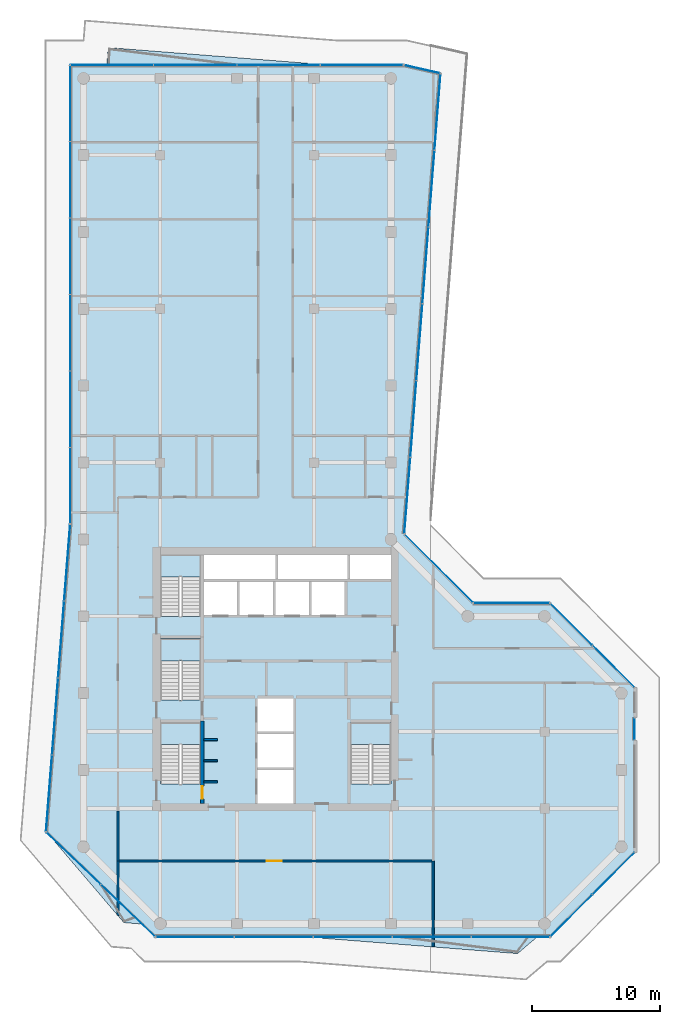
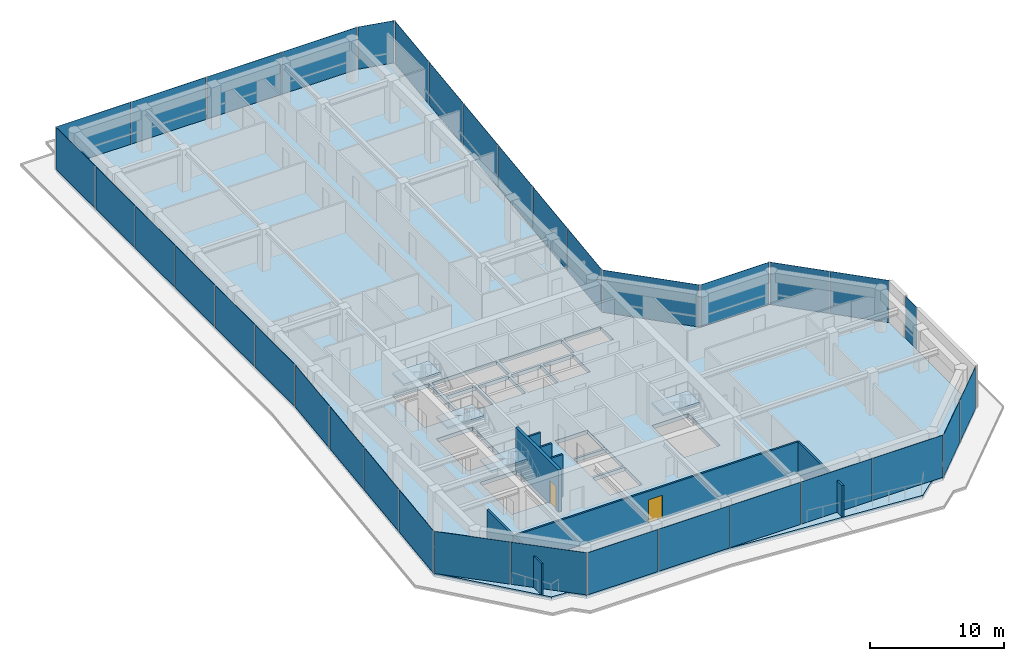
# One storey, part 17 of 22: 35 plates, 8 walls, 5 slabs, 2 doors, 2 openings, 16 elements without a shape of their own.
"""IFC4 building model written with IfcOpenShell, lengths in metres."""

from ifc_helpers import new_model, si_unit, direction, frame, frame_2d, origin, origin_2d, place, context, subcontext, project, spatial, polyline, rectangle, outline, extrude, material, layer, layer_set, type_object, element, fill, aggregate, save


model = new_model("IFC4")

# Units and contexts
model_context = context("Model", 3, precision=1e-05, world=origin(), true_north=direction((0.0, 1.0)))
body_context = subcontext(model_context, "Body", "Model", "MODEL_VIEW")
ifc_project = project(units=[si_unit("LENGTHUNIT", "METRE"), si_unit("AREAUNIT", "SQUARE_METRE"), si_unit("VOLUMEUNIT", "CUBIC_METRE"), si_unit("PLANEANGLEUNIT", "RADIAN"), si_unit("MASSUNIT", "GRAM", prefix="KILO")], contexts=[model_context])

# Site, building, storey
site_placement = place(None, origin())
site = spatial("IfcSite", under=ifc_project, at=site_placement, CompositionType="ELEMENT")
building_placement = place(site_placement, origin())
building = spatial("IfcBuilding", under=site, at=building_placement, Name="Welwitschia Terrace Campus", CompositionType="ELEMENT")
storey_placement = place(building_placement, frame((0.0, 0.0, 150.800048828125)))
storey = spatial("IfcBuildingStorey", under=building, at=storey_placement, Name="L33", CompositionType="ELEMENT", Elevation=150.800048828125)

# Curtain wall, plates
ifc_material_1 = material(Name="Bronze anodised aluminium", Category="aluminium")
ifc_layer_1 = layer(ifc_material_1, 0.1201171875)
ifc_layer_set_1 = layer_set([ifc_layer_1], Name="Bronze anodised aluminium")
curtain_wall_type = type_object("IfcCurtainWallType", Name="Curtain wall CW2 tower 6000", PredefinedType="NOTDEFINED", material=ifc_layer_set_1)
curtain_wall_1_placement = place(storey_placement, origin())
curtain_wall_1 = element("IfcCurtainWall", 1, at=curtain_wall_1_placement, inside=storey, type_object=curtain_wall_type, Name="CW L33.0.0", PredefinedType="NOTDEFINED")
ifc_material_2 = material(Name="Tinted bronze-grey glass", Category="glass")
ifc_layer_2 = layer(ifc_material_2, 0.028076171875)
ifc_layer_set_2 = layer_set([ifc_layer_2], Name="Tinted bronze-grey glass")
plate_type = type_object("IfcPlateType", Name="Glass panel 28 tinted", PredefinedType="CURTAIN_PANEL", material=ifc_layer_set_2)
plate_1_placement = place(storey_placement, frame((-1.030029296875, 60.029541015625, 0.0), z_axis=(0.0, 0.0, 1.0), x_axis=(0.0, -1.0, 0.0)))
plate_1 = element("IfcPlate", 2, at=plate_1_placement, type_object=plate_type, Name="Panel L33.0.0.0", PredefinedType="CURTAIN_PANEL", context=body_context, shape_type="SweptSolid", body=[
    extrude(rectangle(XDim=5.880859375, YDim=0.028076171875, at=origin_2d()), origin(), (0.0, 0.0, 1.0), 3.85009765625),
])
plate_2_placement = place(storey_placement, frame((-1.030029296875, 54.07373046875, 0.0), z_axis=(0.0, 0.0, 1.0), x_axis=(0.0, -1.0, 0.0)))
plate_2 = element("IfcPlate", 3, at=plate_2_placement, type_object=plate_type, Name="Panel L33.0.0.1", PredefinedType="CURTAIN_PANEL", context=body_context, shape_type="SweptSolid", body=[
    extrude(rectangle(XDim=5.910888671875, YDim=0.028076171875, at=origin_2d()), origin(), (0.0, 0.0, 1.0), 3.85009765625),
])
plate_3_placement = place(storey_placement, frame((-1.030029296875, 48.10302734375, 0.0), z_axis=(0.0, 0.0, 1.0), x_axis=(0.0, -1.0, 0.0)))
plate_3 = element("IfcPlate", 4, at=plate_3_placement, type_object=plate_type, Name="Panel L33.0.0.2", PredefinedType="CURTAIN_PANEL", context=body_context, shape_type="SweptSolid", body=[
    extrude(rectangle(XDim=5.910888671875, YDim=0.028076171875, at=origin_2d()), origin(), (0.0, 0.0, 1.0), 3.85009765625),
])
plate_4_placement = place(storey_placement, frame((-1.030029296875, 42.13232421875, 0.0), z_axis=(0.0, 0.0, 1.0), x_axis=(0.0, -1.0, 0.0)))
plate_4 = element("IfcPlate", 5, at=plate_4_placement, type_object=plate_type, Name="Panel L33.0.0.3", PredefinedType="CURTAIN_PANEL", context=body_context, shape_type="SweptSolid", body=[
    extrude(rectangle(XDim=5.910888671875, YDim=0.028076171875, at=origin_2d()), origin(), (0.0, 0.0, 1.0), 3.85009765625),
])
plate_5_placement = place(storey_placement, frame((-1.030029296875, 36.161376953125, 0.0), z_axis=(0.0, 0.0, 1.0), x_axis=(0.0, -1.0, 0.0)))
plate_5 = element("IfcPlate", 6, at=plate_5_placement, type_object=plate_type, Name="Panel L33.0.0.4", PredefinedType="CURTAIN_PANEL", context=body_context, shape_type="SweptSolid", body=[
    extrude(rectangle(XDim=5.910888671875, YDim=0.028076171875, at=origin_2d()), origin(), (0.0, 0.0, 1.0), 3.85009765625),
])
plate_6_placement = place(storey_placement, frame((-1.030029296875, 30.205810546875, 0.0), z_axis=(0.0, 0.0, 1.0), x_axis=(0.0, -1.0, 0.0)))
plate_6 = element("IfcPlate", 7, at=plate_6_placement, type_object=plate_type, Name="Panel L33.0.0.5", PredefinedType="CURTAIN_PANEL", context=body_context, shape_type="SweptSolid", body=[
    extrude(rectangle(XDim=5.880859375, YDim=0.028076171875, at=origin_2d()), origin(), (0.0, 0.0, 1.0), 3.85009765625),
])
aggregate(curtain_wall_1, [plate_1, plate_2, plate_3, plate_4, plate_5, plate_6])

curtain_wall_2_placement = place(storey_placement, origin())
curtain_wall_2 = element("IfcCurtainWall", 8, at=curtain_wall_2_placement, inside=storey, type_object=curtain_wall_type, Name="CW L33.1.0", PredefinedType="NOTDEFINED")
plate_7_placement = place(storey_placement, frame((-1.267822265625, 24.1845703125, 0.0), z_axis=(0.0, 0.0, 1.0), x_axis=(-0.078459095728, -0.996917333733, 0.0)))
plate_7 = element("IfcPlate", 9, at=plate_7_placement, type_object=plate_type, Name="Panel L33.1.0.0", PredefinedType="CURTAIN_PANEL", context=body_context, shape_type="SweptSolid", body=[
    extrude(rectangle(XDim=5.93994140625, YDim=0.028076171875, at=origin_2d()), origin(), (0.0, 0.0, 1.0), 3.85009765625),
])
plate_8_placement = place(storey_placement, frame((-1.73974609375, 18.188232421875, 0.0), z_axis=(0.0, 0.0, 1.0), x_axis=(-0.078459095728, -0.996917333733, 0.0)))
plate_8 = element("IfcPlate", 10, at=plate_8_placement, type_object=plate_type, Name="Panel L33.1.0.1", PredefinedType="CURTAIN_PANEL", context=body_context, shape_type="SweptSolid", body=[
    extrude(rectangle(XDim=5.969970703125, YDim=0.028076171875, at=origin_2d()), origin(), (0.0, 0.0, 1.0), 3.85009765625),
])
plate_9_placement = place(storey_placement, frame((-2.212646484375, 12.177001953125, 0.0), z_axis=(0.0, 0.0, 1.0), x_axis=(-0.078459095728, -0.996917333733, 0.0)))
plate_9 = element("IfcPlate", 11, at=plate_9_placement, type_object=plate_type, Name="Panel L33.1.0.2", PredefinedType="CURTAIN_PANEL", context=body_context, shape_type="SweptSolid", body=[
    extrude(rectangle(XDim=5.969970703125, YDim=0.028076171875, at=origin_2d()), origin(), (0.0, 0.0, 1.0), 3.85009765625),
])
plate_10_placement = place(storey_placement, frame((-2.6845703125, 6.1806640625, 0.0), z_axis=(0.0, 0.0, 1.0), x_axis=(-0.078459095728, -0.996917333733, 0.0)))
plate_10 = element("IfcPlate", 12, at=plate_10_placement, type_object=plate_type, Name="Panel L33.1.0.3", PredefinedType="CURTAIN_PANEL", context=body_context, shape_type="SweptSolid", body=[
    extrude(rectangle(XDim=5.93994140625, YDim=0.028076171875, at=origin_2d()), origin(), (0.0, 0.0, 1.0), 3.85009765625),
])
aggregate(curtain_wall_2, [plate_7, plate_8, plate_9, plate_10])

curtain_wall_3_placement = place(storey_placement, origin())
curtain_wall_3 = element("IfcCurtainWall", 13, at=curtain_wall_3_placement, inside=storey, type_object=curtain_wall_type, Name="CW L33.2.0", PredefinedType="NOTDEFINED")
plate_11_placement = place(storey_placement, frame((-0.77734375, 1.10205078125, 0.0), z_axis=(0.0, 0.0, 1.0), x_axis=(0.721626467504, -0.692282631155, 0.0)))
plate_11 = element("IfcPlate", 14, at=plate_11_placement, type_object=plate_type, Name="Panel L33.2.0.0", PredefinedType="CURTAIN_PANEL", context=body_context, shape_type="SweptSolid", body=[
    extrude(rectangle(XDim=5.8251953125, YDim=0.028076171875, at=origin_2d()), origin(), (0.0, 0.0, 1.0), 3.85009765625),
])
plate_12_placement = place(storey_placement, frame((3.469482421875, -2.97216796875, 0.0), z_axis=(0.0, 0.0, 1.0), x_axis=(0.721626467504, -0.692282631155, 0.0)))
plate_12 = element("IfcPlate", 15, at=plate_12_placement, type_object=plate_type, Name="Panel L33.2.0.1", PredefinedType="CURTAIN_PANEL", context=body_context, shape_type="SweptSolid", body=[
    extrude(rectangle(XDim=5.8251953125, YDim=0.028076171875, at=origin_2d()), origin(), (0.0, 0.0, 1.0), 3.85009765625),
])
aggregate(curtain_wall_3, [plate_11, plate_12])

curtain_wall_4_placement = place(storey_placement, origin())
curtain_wall_4 = element("IfcCurtainWall", 16, at=curtain_wall_4_placement, inside=storey, type_object=curtain_wall_type, Name="CW L33.3.0", PredefinedType="NOTDEFINED")
plate_13_placement = place(storey_placement, frame((8.7109375, -5.030029296875, 0.0), z_axis=(0.0, 0.0, 1.0), x_axis=(1.0, 0.0, 0.0)))
plate_13 = element("IfcPlate", 17, at=plate_13_placement, type_object=plate_type, Name="Panel L33.3.0.0", PredefinedType="CURTAIN_PANEL", context=body_context, shape_type="SweptSolid", body=[
    extrude(rectangle(XDim=6.072509765625, YDim=0.028076171875, at=origin_2d()), origin(), (0.0, 0.0, 1.0), 3.85009765625),
])
plate_14_placement = place(storey_placement, frame((14.858154296875, -5.030029296875, 0.0), z_axis=(0.0, 0.0, 1.0), x_axis=(1.0, 0.0, 0.0)))
plate_14 = element("IfcPlate", 18, at=plate_14_placement, type_object=plate_type, Name="Panel L33.3.0.1", PredefinedType="CURTAIN_PANEL", context=body_context, shape_type="SweptSolid", body=[
    extrude(rectangle(XDim=6.102294921875, YDim=0.028076171875, at=origin_2d()), origin(), (0.0, 0.0, 1.0), 3.85009765625),
])
plate_15_placement = place(storey_placement, frame((21.020751953125, -5.030029296875, 0.0), z_axis=(0.0, 0.0, 1.0), x_axis=(1.0, 0.0, 0.0)))
plate_15 = element("IfcPlate", 19, at=plate_15_placement, type_object=plate_type, Name="Panel L33.3.0.2", PredefinedType="CURTAIN_PANEL", context=body_context, shape_type="SweptSolid", body=[
    extrude(rectangle(XDim=6.102294921875, YDim=0.028076171875, at=origin_2d()), origin(), (0.0, 0.0, 1.0), 3.85009765625),
])
plate_16_placement = place(storey_placement, frame((27.18310546875, -5.030029296875, 0.0), z_axis=(0.0, 0.0, 1.0), x_axis=(1.0, 0.0, 0.0)))
plate_16 = element("IfcPlate", 20, at=plate_16_placement, type_object=plate_type, Name="Panel L33.3.0.3", PredefinedType="CURTAIN_PANEL", context=body_context, shape_type="SweptSolid", body=[
    extrude(rectangle(XDim=6.102294921875, YDim=0.028076171875, at=origin_2d()), origin(), (0.0, 0.0, 1.0), 3.85009765625),
])
plate_17_placement = place(storey_placement, frame((33.330322265625, -5.030029296875, 0.0), z_axis=(0.0, 0.0, 1.0), x_axis=(1.0, 0.0, 0.0)))
plate_17 = element("IfcPlate", 21, at=plate_17_placement, type_object=plate_type, Name="Panel L33.3.0.4", PredefinedType="CURTAIN_PANEL", context=body_context, shape_type="SweptSolid", body=[
    extrude(rectangle(XDim=6.072509765625, YDim=0.028076171875, at=origin_2d()), origin(), (0.0, 0.0, 1.0), 3.85009765625),
])
aggregate(curtain_wall_4, [plate_13, plate_14, plate_15, plate_16, plate_17])

curtain_wall_5_placement = place(storey_placement, origin())
curtain_wall_5 = element("IfcCurtainWall", 22, at=curtain_wall_5_placement, inside=storey, type_object=curtain_wall_type, Name="CW L33.4.0", PredefinedType="NOTDEFINED")
plate_18_placement = place(storey_placement, frame((38.088134765625, -3.36865234375, 0.0), z_axis=(0.0, 0.0, 1.0), x_axis=(0.707106781187, 0.707106781187, 0.0)))
plate_18 = element("IfcPlate", 23, at=plate_18_placement, type_object=plate_type, Name="Panel L33.4.0.0", PredefinedType="CURTAIN_PANEL", context=body_context, shape_type="SweptSolid", body=[
    extrude(rectangle(XDim=4.579345703125, YDim=0.028076171875, at=origin_2d()), origin(), (0.0, 0.0, 1.0), 3.85009765625),
])
plate_19_placement = place(storey_placement, frame((41.36865234375, -0.088134765625, 0.0), z_axis=(0.0, 0.0, 1.0), x_axis=(0.707106781187, 0.707106781187, 0.0)))
plate_19 = element("IfcPlate", 24, at=plate_19_placement, type_object=plate_type, Name="Panel L33.4.0.1", PredefinedType="CURTAIN_PANEL", context=body_context, shape_type="SweptSolid", body=[
    extrude(rectangle(XDim=4.579345703125, YDim=0.028076171875, at=origin_2d()), origin(), (0.0, 0.0, 1.0), 3.85009765625),
])
aggregate(curtain_wall_5, [plate_18, plate_19])

# Curtain wall, plate
curtain_wall_6_placement = place(storey_placement, origin())
curtain_wall_6 = element("IfcCurtainWall", 25, at=curtain_wall_6_placement, inside=storey, type_object=curtain_wall_type, Name="CW L33.5.S0", PredefinedType="NOTDEFINED")
plate_20_placement = place(storey_placement, frame((43.030029296875, 11.21337890625, 0.0), z_axis=(0.0, 0.0, 1.0), x_axis=(0.0, 1.0, 0.0)))
plate_20 = element("IfcPlate", 26, at=plate_20_placement, type_object=plate_type, Name="Panel L33.5.S0.0", PredefinedType="CURTAIN_PANEL", context=body_context, shape_type="SweptSolid", body=[
    extrude(rectangle(XDim=1.679931640625, YDim=0.028076171875, at=origin_2d()), origin(), (0.0, 0.0, 1.0), 3.85009765625),
])
aggregate(curtain_wall_6, [plate_20])

# Curtain wall, plates
curtain_wall_7_placement = place(storey_placement, origin())
curtain_wall_7 = element("IfcCurtainWall", 27, at=curtain_wall_7_placement, inside=storey, type_object=curtain_wall_type, Name="CW L33.6.0", PredefinedType="NOTDEFINED")
plate_21_placement = place(storey_placement, frame((41.36865234375, 16.088134765625, 0.0), z_axis=(0.0, 0.0, 1.0), x_axis=(-0.707106781187, 0.707106781187, 0.0)))
plate_21 = element("IfcPlate", 28, at=plate_21_placement, type_object=plate_type, Name="Panel L33.6.0.0", PredefinedType="CURTAIN_PANEL", context=body_context, shape_type="SweptSolid", body=[
    extrude(rectangle(XDim=4.579345703125, YDim=0.028076171875, at=origin_2d()), origin(), (0.0, 0.0, 1.0), 3.85009765625),
])
plate_22_placement = place(storey_placement, frame((38.088134765625, 19.36865234375, 0.0), z_axis=(0.0, 0.0, 1.0), x_axis=(-0.707106781187, 0.707106781187, 0.0)))
plate_22 = element("IfcPlate", 29, at=plate_22_placement, type_object=plate_type, Name="Panel L33.6.0.1", PredefinedType="CURTAIN_PANEL", context=body_context, shape_type="SweptSolid", body=[
    extrude(rectangle(XDim=4.579345703125, YDim=0.028076171875, at=origin_2d()), origin(), (0.0, 0.0, 1.0), 3.85009765625),
])
aggregate(curtain_wall_7, [plate_21, plate_22])

# Curtain wall, plate
curtain_wall_8_placement = place(storey_placement, origin())
curtain_wall_8 = element("IfcCurtainWall", 30, at=curtain_wall_8_placement, inside=storey, type_object=curtain_wall_type, Name="CW L33.7.0", PredefinedType="NOTDEFINED")
plate_23_placement = place(storey_placement, frame((33.4267578125, 21.030029296875, 0.0), z_axis=(0.0, 0.0, 1.0), x_axis=(-1.0, 0.0, 0.0)))
plate_23 = element("IfcPlate", 31, at=plate_23_placement, type_object=plate_type, Name="Panel L33.7.0.0", PredefinedType="CURTAIN_PANEL", context=body_context, shape_type="SweptSolid", body=[
    extrude(rectangle(XDim=5.8798828125, YDim=0.028076171875, at=origin_2d()), origin(), (0.0, 0.0, 1.0), 3.85009765625),
])
aggregate(curtain_wall_8, [plate_23])

curtain_wall_9_placement = place(storey_placement, origin())
curtain_wall_9 = element("IfcCurtainWall", 32, at=curtain_wall_9_placement, inside=storey, type_object=curtain_wall_type, Name="CW L33.8.0", PredefinedType="NOTDEFINED")
plate_24_placement = place(storey_placement, frame((27.7373046875, 23.719482421875, 0.0), z_axis=(0.0, 0.0, 1.0), x_axis=(-0.707106781187, 0.707106781187, 0.0)))
plate_24 = element("IfcPlate", 33, at=plate_24_placement, type_object=plate_type, Name="Panel L33.8.0.0", PredefinedType="CURTAIN_PANEL", context=body_context, shape_type="SweptSolid", body=[
    extrude(rectangle(XDim=7.48681640625, YDim=0.028076171875, at=origin_2d()), origin(), (0.0, 0.0, 1.0), 3.85009765625),
])
aggregate(curtain_wall_9, [plate_24])

# Curtain wall, plates
curtain_wall_10_placement = place(storey_placement, origin())
curtain_wall_10 = element("IfcCurtainWall", 34, at=curtain_wall_10_placement, inside=storey, type_object=curtain_wall_type, Name="CW L33.9.0", PredefinedType="NOTDEFINED")
plate_25_placement = place(storey_placement, frame((25.284912109375, 29.421142578125, 0.0), z_axis=(0.0, 0.0, 1.0), x_axis=(0.078459095728, 0.996917333733, 0.0)))
plate_25 = element("IfcPlate", 35, at=plate_25_placement, type_object=plate_type, Name="Panel L33.9.0.0", PredefinedType="CURTAIN_PANEL", context=body_context, shape_type="SweptSolid", body=[
    extrude(rectangle(XDim=5.923583984375, YDim=0.028076171875, at=origin_2d()), origin(), (0.0, 0.0, 1.0), 3.85009765625),
])
plate_26_placement = place(storey_placement, frame((25.755615234375, 35.401123046875, 0.0), z_axis=(0.0, 0.0, 1.0), x_axis=(0.078459095728, 0.996917333733, 0.0)))
plate_26 = element("IfcPlate", 36, at=plate_26_placement, type_object=plate_type, Name="Panel L33.9.0.1", PredefinedType="CURTAIN_PANEL", context=body_context, shape_type="SweptSolid", body=[
    extrude(rectangle(XDim=5.953369140625, YDim=0.028076171875, at=origin_2d()), origin(), (0.0, 0.0, 1.0), 3.85009765625),
])
plate_27_placement = place(storey_placement, frame((26.2275390625, 41.39599609375, 0.0), z_axis=(0.0, 0.0, 1.0), x_axis=(0.078459095728, 0.996917333733, 0.0)))
plate_27 = element("IfcPlate", 37, at=plate_27_placement, type_object=plate_type, Name="Panel L33.9.0.2", PredefinedType="CURTAIN_PANEL", context=body_context, shape_type="SweptSolid", body=[
    extrude(rectangle(XDim=5.953369140625, YDim=0.028076171875, at=origin_2d()), origin(), (0.0, 0.0, 1.0), 3.85009765625),
])
plate_28_placement = place(storey_placement, frame((26.69921875, 47.39111328125, 0.0), z_axis=(0.0, 0.0, 1.0), x_axis=(0.078459095728, 0.996917333733, 0.0)))
plate_28 = element("IfcPlate", 38, at=plate_28_placement, type_object=plate_type, Name="Panel L33.9.0.3", PredefinedType="CURTAIN_PANEL", context=body_context, shape_type="SweptSolid", body=[
    extrude(rectangle(XDim=5.953369140625, YDim=0.028076171875, at=origin_2d()), origin(), (0.0, 0.0, 1.0), 3.85009765625),
])
plate_29_placement = place(storey_placement, frame((27.171142578125, 53.385986328125, 0.0), z_axis=(0.0, 0.0, 1.0), x_axis=(0.078459095728, 0.996917333733, 0.0)))
plate_29 = element("IfcPlate", 39, at=plate_29_placement, type_object=plate_type, Name="Panel L33.9.0.4", PredefinedType="CURTAIN_PANEL", context=body_context, shape_type="SweptSolid", body=[
    extrude(rectangle(XDim=5.953369140625, YDim=0.028076171875, at=origin_2d()), origin(), (0.0, 0.0, 1.0), 3.85009765625),
])
plate_30_placement = place(storey_placement, frame((27.6416015625, 59.365966796875, 0.0), z_axis=(0.0, 0.0, 1.0), x_axis=(0.078459095728, 0.996917333733, 0.0)))
plate_30 = element("IfcPlate", 40, at=plate_30_placement, type_object=plate_type, Name="Panel L33.9.0.5", PredefinedType="CURTAIN_PANEL", context=body_context, shape_type="SweptSolid", body=[
    extrude(rectangle(XDim=5.923583984375, YDim=0.028076171875, at=origin_2d()), origin(), (0.0, 0.0, 1.0), 3.85009765625),
])
aggregate(curtain_wall_10, [plate_25, plate_26, plate_27, plate_28, plate_29, plate_30])

# Curtain wall, plate
curtain_wall_11_placement = place(storey_placement, origin())
curtain_wall_11 = element("IfcCurtainWall", 41, at=curtain_wall_11_placement, inside=storey, type_object=curtain_wall_type, Name="CW L33.10.0", PredefinedType="NOTDEFINED")
plate_31_placement = place(storey_placement, frame((26.441162109375, 62.7041015625, 0.0), z_axis=(0.0, 0.0, 1.0), x_axis=(-0.975274506238, 0.220996917361, 0.0)))
plate_31 = element("IfcPlate", 42, at=plate_31_placement, type_object=plate_type, Name="Panel L33.10.0.0", PredefinedType="CURTAIN_PANEL", context=body_context, shape_type="SweptSolid", body=[
    extrude(rectangle(XDim=2.828369140625, YDim=0.028076171875, at=origin_2d()), origin(), (0.0, 0.0, 1.0), 3.85009765625),
])
aggregate(curtain_wall_11, [plate_31])

# Curtain wall, plates
curtain_wall_12_placement = place(storey_placement, origin())
curtain_wall_12 = element("IfcCurtainWall", 43, at=curtain_wall_12_placement, inside=storey, type_object=curtain_wall_type, Name="CW L33.11.0", PredefinedType="NOTDEFINED")
plate_32_placement = place(storey_placement, frame((21.734130859375, 63.030029296875, 0.0), z_axis=(0.0, 0.0, 1.0), x_axis=(-1.0, 0.0, 0.0)))
plate_32 = element("IfcPlate", 44, at=plate_32_placement, type_object=plate_type, Name="Panel L33.11.0.0", PredefinedType="CURTAIN_PANEL", context=body_context, shape_type="SweptSolid", body=[
    extrude(rectangle(XDim=6.41845703125, YDim=0.028076171875, at=origin_2d()), origin(), (0.0, 0.0, 1.0), 3.85009765625),
])
plate_33_placement = place(storey_placement, frame((15.240966796875, 63.030029296875, 0.0), z_axis=(0.0, 0.0, 1.0), x_axis=(-1.0, 0.0, 0.0)))
plate_33 = element("IfcPlate", 45, at=plate_33_placement, type_object=plate_type, Name="Panel L33.11.0.1", PredefinedType="CURTAIN_PANEL", context=body_context, shape_type="SweptSolid", body=[
    extrude(rectangle(XDim=6.4482421875, YDim=0.028076171875, at=origin_2d()), origin(), (0.0, 0.0, 1.0), 3.85009765625),
])
plate_34_placement = place(storey_placement, frame((8.732421875, 63.030029296875, 0.0), z_axis=(0.0, 0.0, 1.0), x_axis=(-1.0, 0.0, 0.0)))
plate_34 = element("IfcPlate", 46, at=plate_34_placement, type_object=plate_type, Name="Panel L33.11.0.2", PredefinedType="CURTAIN_PANEL", context=body_context, shape_type="SweptSolid", body=[
    extrude(rectangle(XDim=6.4482421875, YDim=0.028076171875, at=origin_2d()), origin(), (0.0, 0.0, 1.0), 3.85009765625),
])
plate_35_placement = place(storey_placement, frame((2.2392578125, 63.030029296875, 0.0), z_axis=(0.0, 0.0, 1.0), x_axis=(-1.0, 0.0, 0.0)))
plate_35 = element("IfcPlate", 47, at=plate_35_placement, type_object=plate_type, Name="Panel L33.11.0.3", PredefinedType="CURTAIN_PANEL", context=body_context, shape_type="SweptSolid", body=[
    extrude(rectangle(XDim=6.41845703125, YDim=0.028076171875, at=origin_2d()), origin(), (0.0, 0.0, 1.0), 3.85009765625),
])
aggregate(curtain_wall_12, [plate_32, plate_33, plate_34, plate_35])

# Stair, slab
ifc_material_3 = material(Name="Concrete C40/50", Category="concrete")
stair_type = type_object("IfcStairType", Name="Stair 24R 175 W1500", PredefinedType="HALF_TURN_STAIR", material=ifc_material_3)
stair_1_placement = place(storey_placement, origin())
stair_1 = element("IfcStair", 48, at=stair_1_placement, inside=storey, type_object=stair_type, Name="L33 Exit stair S1", PredefinedType="HALF_TURN_STAIR")
ifc_material_4 = material(Name="Concrete C40/50", Category="concrete")
ifc_layer_3 = layer(ifc_material_4, 0.199951171875)
ifc_layer_set_3 = layer_set([ifc_layer_3], Name="Concrete C40/50")
slab_type_1 = type_object("IfcSlabType", Name="Stair landing RC", PredefinedType="LANDING", material=ifc_layer_set_3)
slab_1_placement = place(storey_placement, frame((0.0, 0.0, 1.89990234375)))
slab_1 = element("IfcSlab", 49, at=slab_1_placement, type_object=slab_type_1, Name="S1 landing 1", PredefinedType="LANDING", context=body_context, shape_type="SweptSolid", body=[
    extrude(outline(polyline([(9.14990234375, 9.97998046875), (9.14990234375, 11.699951171875), (6.0, 11.699951171875), (6.0, 9.97998046875), (9.14990234375, 9.97998046875)])), origin(), (0.0, 0.0, 1.0), 0.199951171875),
])
aggregate(stair_1, [slab_1])

stair_2_placement = place(storey_placement, origin())
stair_2 = element("IfcStair", 50, at=stair_2_placement, inside=storey, type_object=stair_type, Name="L33 Exit stair S3", PredefinedType="HALF_TURN_STAIR")
slab_2_placement = place(storey_placement, frame((0.0, 0.0, 1.89990234375)))
slab_2 = element("IfcSlab", 51, at=slab_2_placement, type_object=slab_type_1, Name="S3 landing 1", PredefinedType="LANDING", context=body_context, shape_type="SweptSolid", body=[
    extrude(outline(polyline([(9.14990234375, 16.530029296875), (9.14990234375, 18.25), (6.0, 18.25), (6.0, 16.530029296875), (9.14990234375, 16.530029296875)])), origin(), (0.0, 0.0, 1.0), 0.199951171875),
])
aggregate(stair_2, [slab_2])

stair_3_placement = place(storey_placement, origin())
stair_3 = element("IfcStair", 52, at=stair_3_placement, inside=storey, type_object=stair_type, Name="L33 Exit stair S4", PredefinedType="HALF_TURN_STAIR")
slab_3_placement = place(storey_placement, frame((0.0, 0.0, 1.89990234375)))
slab_3 = element("IfcSlab", 53, at=slab_3_placement, type_object=slab_type_1, Name="S4 landing 1", PredefinedType="LANDING", context=body_context, shape_type="SweptSolid", body=[
    extrude(outline(polyline([(9.14990234375, 23.080078125), (9.14990234375, 24.800048828125), (6.0, 24.800048828125), (6.0, 23.080078125), (9.14990234375, 23.080078125)])), origin(), (0.0, 0.0, 1.0), 0.199951171875),
])
aggregate(stair_3, [slab_3])

stair_4_placement = place(storey_placement, origin())
stair_4 = element("IfcStair", 54, at=stair_4_placement, inside=storey, type_object=stair_type, Name="L33 Exit stair S2", PredefinedType="HALF_TURN_STAIR")
slab_4_placement = place(storey_placement, frame((0.0, 0.0, 1.89990234375)))
slab_4 = element("IfcSlab", 55, at=slab_4_placement, type_object=slab_type_1, Name="S2 landing 1", PredefinedType="LANDING", context=body_context, shape_type="SweptSolid", body=[
    extrude(outline(polyline([(24.0, 9.97998046875), (24.0, 11.699951171875), (20.85009765625, 11.699951171875), (20.85009765625, 9.97998046875), (24.0, 9.97998046875)])), origin(), (0.0, 0.0, 1.0), 0.199951171875),
])
aggregate(stair_4, [slab_4])

# Slab
ifc_material_5 = material(Name="Concrete C40/50", Category="concrete")
ifc_layer_4 = layer(ifc_material_5, 0.35009765625)
ifc_layer_set_4 = layer_set([ifc_layer_4], Name="Concrete C40/50")
slab_type_2 = type_object("IfcSlabType", Name="Suspended floor slab 350", PredefinedType="FLOOR", material=ifc_layer_set_4)
slab_5_placement = place(storey_placement, frame((0.0, 0.0, -0.35009765625)))
element("IfcSlab", 56, at=slab_5_placement, inside=storey, type_object=slab_type_2, Name="Floor slab L33", PredefinedType="FLOOR", context=body_context, shape_type="SweptSolid", body=[
    extrude(outline(polyline([(1.817138671875, 63.0), (1.927001953125, 64.394775390625), (19.650146484375, 63.0), (25.0, 63.0), (27.846923828125, 62.35498046875), (25.016845703125, 26.397216796875), (30.414306640625, 21.0), (36.414306640625, 21.0), (43.0, 14.414306640625), (43.0, 1.585693359375), (36.414306640625, -5.0), (35.448974609375, -5.0), (33.890625, -6.3310546875), (16.978515625, -5.0), (5.585693359375, -5.0), (4.612548828125, -4.02685546875), (3.1572265625, -3.912353515625), (-2.8916015625, 3.169921875), (-1.0, 27.2041015625), (-1.0, 63.0), (1.817138671875, 63.0)]), holes=[polyline([(13.60009765625, 8.0), (13.60009765625, 5.39990234375), (16.39990234375, 5.39990234375), (16.39990234375, 8.0), (13.60009765625, 8.0)]), polyline([(9.14990234375, 11.699951171875), (6.0, 11.699951171875), (6.0, 6.902099609375), (9.14990234375, 6.902099609375), (9.14990234375, 11.699951171875)]), polyline([(9.14990234375, 18.25), (6.0, 18.25), (6.0, 13.451904296875), (9.14990234375, 13.451904296875), (9.14990234375, 18.25)]), polyline([(12.0, 22.699951171875), (9.39990234375, 22.699951171875), (9.39990234375, 20.10009765625), (12.0, 20.10009765625), (12.0, 22.699951171875)]), polyline([(14.800048828125, 22.699951171875), (12.199951171875, 22.699951171875), (12.199951171875, 20.10009765625), (14.800048828125, 20.10009765625), (14.800048828125, 22.699951171875)]), polyline([(9.14990234375, 24.800048828125), (6.0, 24.800048828125), (6.0, 20.001953125), (9.14990234375, 20.001953125), (9.14990234375, 24.800048828125)]), polyline([(15.0, 24.800048828125), (9.39990234375, 24.800048828125), (9.39990234375, 22.89990234375), (15.0, 22.89990234375), (15.0, 24.800048828125)]), polyline([(20.85009765625, 11.699951171875), (20.85009765625, 6.902099609375), (24.0, 6.902099609375), (24.0, 11.699951171875), (20.85009765625, 11.699951171875)]), polyline([(16.39990234375, 10.800048828125), (13.60009765625, 10.800048828125), (13.60009765625, 8.199951171875), (16.39990234375, 8.199951171875), (16.39990234375, 10.800048828125)]), polyline([(16.39990234375, 13.60009765625), (13.60009765625, 13.60009765625), (13.60009765625, 11.0), (16.39990234375, 11.0), (16.39990234375, 13.60009765625)]), polyline([(17.60009765625, 22.699951171875), (15.0, 22.699951171875), (15.0, 20.10009765625), (17.60009765625, 20.10009765625), (17.60009765625, 22.699951171875)]), polyline([(20.39990234375, 22.699951171875), (17.800048828125, 22.699951171875), (17.800048828125, 20.10009765625), (20.39990234375, 20.10009765625), (20.39990234375, 22.699951171875)]), polyline([(20.60009765625, 24.800048828125), (15.199951171875, 24.800048828125), (15.199951171875, 22.89990234375), (20.60009765625, 22.89990234375), (20.60009765625, 24.800048828125)]), polyline([(24.0, 24.800048828125), (20.800048828125, 24.800048828125), (20.800048828125, 22.89990234375), (24.0, 22.89990234375), (24.0, 24.800048828125)])]), origin(), (0.0, 0.0, 1.0), 0.35009765625),
])

# Walls
ifc_material_6 = material(Name="Concrete C50/60", Category="concrete")
ifc_layer_5 = layer(ifc_material_6, 0.14990234375)
ifc_layer_set_5 = layer_set([ifc_layer_5], Name="Concrete C50/60")
wall_type_1 = type_object("IfcWallType", Name="Core wall 150 Concrete C50/60", PredefinedType="SHEAR", material=ifc_layer_set_5)
for number, where, z_axis, x_axis, name in (
    (57, (9.39990234375, 7.074951171875, 0.0), (0.0, 0.0, 1.0), (1.0, 0.0, 0.0), "Core wall"),
    (58, (9.39990234375, 8.72509765625, 0.0), (0.0, 0.0, 1.0), (1.0, 0.0, 0.0), "Core wall"),
    (59, (9.39990234375, 10.375, 0.0), (0.0, 0.0, 1.0), (1.0, 0.0, 0.0), "Core wall"),
):
    element("IfcWall", number, at=place(storey_placement, frame(where, z_axis=z_axis, x_axis=x_axis)), inside=storey, type_object=wall_type_1, Name=name, PredefinedType="SHEAR", context=body_context, shape_type="SweptSolid", body=[
        extrude(rectangle(XDim=1.050048828125, YDim=0.14990234375, at=frame_2d((0.52490234375, 0.0))), origin(), (0.0, 0.0, 1.0), 3.849853515625),
    ])

# Wall, opening, door
ifc_material_7 = material(Name="Concrete C50/60", Category="concrete")
ifc_layer_6 = layer(ifc_material_7, 0.25)
ifc_layer_set_6 = layer_set([ifc_layer_6], Name="Concrete C50/60")
wall_type_2 = type_object("IfcWallType", Name="Core wall 250 Concrete C50/60", PredefinedType="SHEAR", material=ifc_layer_set_6)
wall_1_placement = place(storey_placement, frame((9.27490234375, 11.824951171875, 0.0), z_axis=(0.0, 0.0, 1.0), x_axis=(0.0, -1.0, 0.0)))
wall_1 = element("IfcWall", 60, at=wall_1_placement, inside=storey, type_object=wall_type_2, Name="Core wall", PredefinedType="SHEAR", context=body_context, shape_type="SweptSolid", body=[
    extrude(rectangle(XDim=6.425048828125, YDim=0.25, at=frame_2d((3.21240234375, 0.0))), origin(), (0.0, 0.0, 1.0), 3.849853515625),
])
opening_1_placement = place(wall_1_placement, frame((5.074951171875, 0.0, 0.0)))
opening_1 = element("IfcOpeningElement", 61, at=opening_1_placement, cuts=wall_1, Name="Opening DS10", PredefinedType="OPENING", context=body_context, shape_type="SweptSolid", body=[
    extrude(rectangle(XDim=1.0, YDim=2.10009765625, at=frame_2d((0.5, 1.050048828125))), frame((0.0, 0.135009765625, 0.0), z_axis=(0.0, -1.0, 0.0), x_axis=(1.0, 0.0, 0.0)), (0.0, 0.0, 1.0), 0.27001953125),
])
ifc_material_8 = material(Name="Steel S275", Category="steel")
door_type_1 = type_object("IfcDoorType", Name="Core door DS10", OperationType="SINGLE_SWING_LEFT", PredefinedType="DOOR", material=ifc_material_8)
door_1_placement = place(opening_1_placement, origin())
door_1 = element("IfcDoor", 62, at=door_1_placement, inside=storey, type_object=door_type_1, Name="Door S1-FL", OperationType="SINGLE_SWING_RIGHT", OverallHeight=2.10009765625, OverallWidth=1.0, PredefinedType="DOOR", context=body_context, shape_type="SweptSolid", body=[
    extrude(rectangle(XDim=1.0, YDim=2.10009765625, at=frame_2d((0.5, 1.050048828125))), frame((0.0, 0.02490234375, 0.0), z_axis=(0.0, -1.0, 0.0), x_axis=(1.0, 0.0, 0.0)), (0.0, 0.0, 1.0), 0.050048828125),
])
fill(opening_1, door_1)

# Walls
ifc_material_9 = material(Name="Gypsum board on steel studs", Category="steel")
ifc_layer_7 = layer(ifc_material_9, 0.14990234375)
ifc_layer_set_7 = layer_set([ifc_layer_7], Name="Gypsum board on steel studs")
wall_type_3 = type_object("IfcWallType", Name="Corridor partition 150 EI 30", PredefinedType="PARTITIONING", material=ifc_layer_set_7)
wall_2_placement = place(storey_placement, frame((2.699951171875, -3.35009765625, 0.0), z_axis=(0.0, 0.0, 1.0), x_axis=(0.0, 1.0, 0.0)))
element("IfcWall", 63, at=wall_2_placement, inside=storey, type_object=wall_type_3, Name="Partition", PredefinedType="PARTITIONING", context=body_context, shape_type="SweptSolid", body=[
    extrude(rectangle(XDim=4.25, YDim=0.14990234375, at=frame_2d((2.125, 0.0))), origin(), (0.0, 0.0, 1.0), 2.8798828125),
])
wall_3_placement = place(storey_placement, frame((2.699951171875, 0.89990234375, 0.0), z_axis=(0.0, 0.0, 1.0), x_axis=(0.0, 1.0, 0.0)))
element("IfcWall", 64, at=wall_3_placement, inside=storey, type_object=wall_type_3, Name="Partition", PredefinedType="PARTITIONING", context=body_context, shape_type="SweptSolid", body=[
    extrude(rectangle(XDim=3.900146484375, YDim=0.14990234375, at=frame_2d((1.9501953125, 0.0))), origin(), (0.0, 0.0, 1.0), 2.8798828125),
])
wall_4_placement = place(storey_placement, frame((27.300048828125, -5.7900390625, 0.0), z_axis=(0.0, 0.0, 1.0), x_axis=(0.0, 1.0, 0.0)))
element("IfcWall", 65, at=wall_4_placement, inside=storey, type_object=wall_type_3, Name="Partition", PredefinedType="PARTITIONING", context=body_context, shape_type="SweptSolid", body=[
    extrude(rectangle(XDim=6.68994140625, YDim=0.14990234375, at=frame_2d((3.344970703125, 0.0))), origin(), (0.0, 0.0, 1.0), 2.8798828125),
])

# Wall, opening, door
wall_5_placement = place(storey_placement, frame((27.300048828125, 0.89990234375, 0.0), z_axis=(0.0, 0.0, 1.0), x_axis=(-1.0, 0.0, 0.0)))
wall_5 = element("IfcWall", 66, at=wall_5_placement, inside=storey, type_object=wall_type_3, Name="Partition", PredefinedType="PARTITIONING", context=body_context, shape_type="SweptSolid", body=[
    extrude(rectangle(XDim=24.60009765625, YDim=0.14990234375, at=frame_2d((12.300048828125, 0.0))), origin(), (0.0, 0.0, 1.0), 2.8798828125),
])
opening_2_placement = place(wall_5_placement, frame((11.800048828125, 0.0, 0.0)))
opening_2 = element("IfcOpeningElement", 67, at=opening_2_placement, cuts=wall_5, Name="Opening DI12", PredefinedType="OPENING", context=body_context, shape_type="SweptSolid", body=[
    extrude(rectangle(XDim=1.199951171875, YDim=2.10009765625, at=frame_2d((0.60009765625, 1.050048828125))), frame((0.0, 0.0849609375, 0.0), z_axis=(0.0, -1.0, 0.0), x_axis=(1.0, 0.0, 0.0)), (0.0, 0.0, 1.0), 0.169921875),
])
ifc_material_10 = material(Name="Timber veneered door", Category="wood")
door_type_2 = type_object("IfcDoorType", Name="Interior door DI12", OperationType="NOTDEFINED", PredefinedType="DOOR", material=ifc_material_10)
door_2_placement = place(opening_2_placement, origin())
door_2 = element("IfcDoor", 68, at=door_2_placement, inside=storey, type_object=door_type_2, Name="Door L33 689", OperationType="SINGLE_SWING_RIGHT", OverallHeight=2.10009765625, OverallWidth=1.199951171875, PredefinedType="DOOR", context=body_context, shape_type="SweptSolid", body=[
    extrude(rectangle(XDim=1.199951171875, YDim=2.10009765625, at=frame_2d((0.60009765625, 1.050048828125))), frame((0.0, 0.02490234375, 0.0), z_axis=(0.0, -1.0, 0.0), x_axis=(1.0, 0.0, 0.0)), (0.0, 0.0, 1.0), 0.050048828125),
])
fill(opening_2, door_2)

save(model, "model.ifc")
